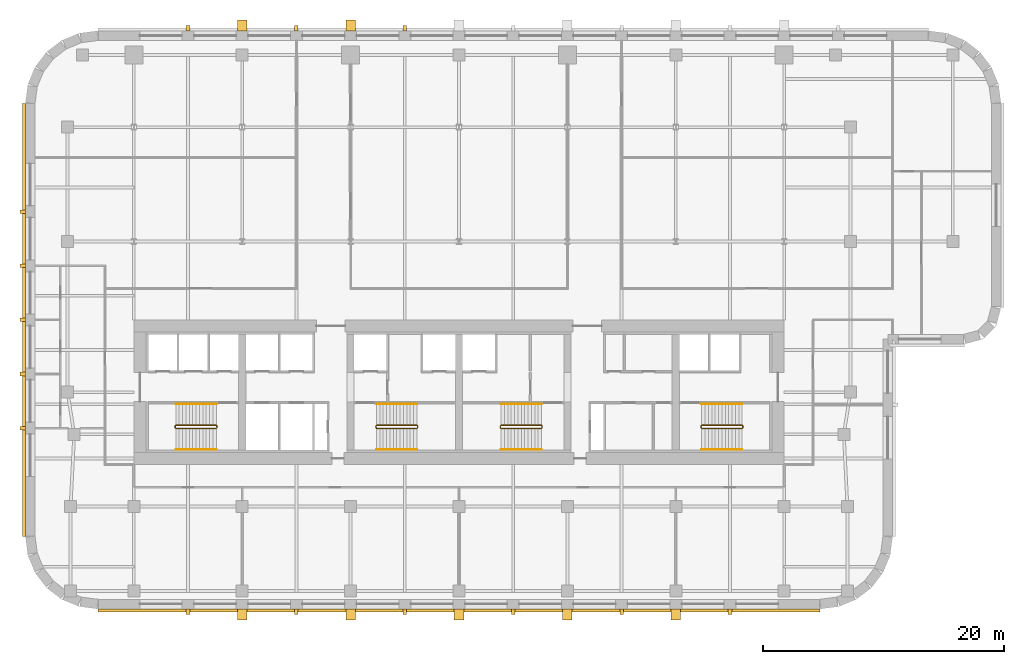
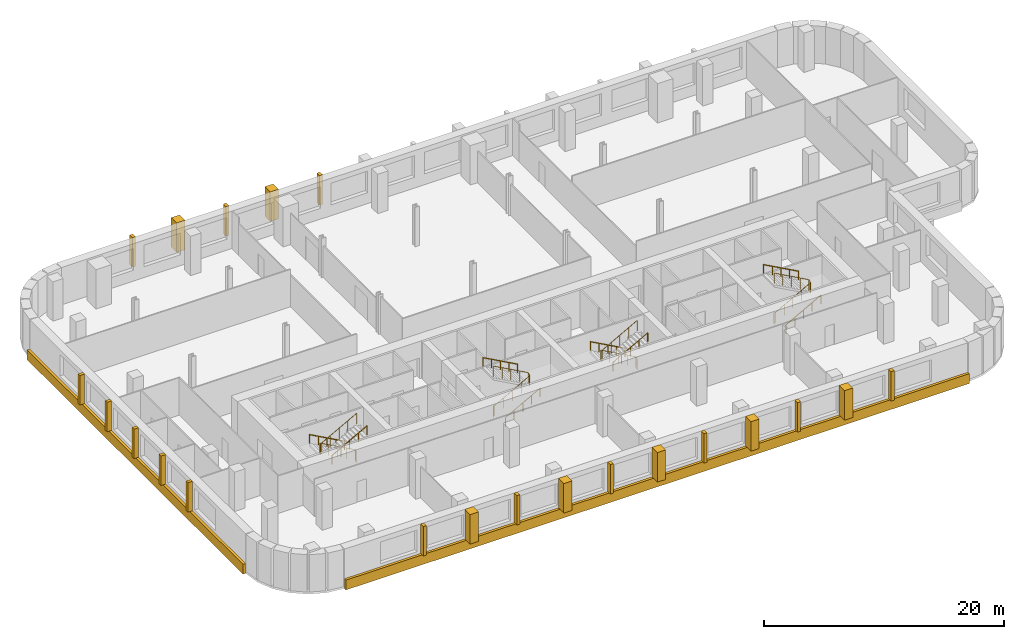
# One storey, part 8 of 9: 23 coverings, 12 railings.
"""IFC4 building model written with IfcOpenShell, lengths in metres."""

from ifc_helpers import new_model, si_unit, direction, frame, origin, origin_2d, place, context, subcontext, project, spatial, polyline, circle, outline, extrude, material, layer, layer_set, type_object, element, save


model = new_model("IFC4")

# Units and contexts
model_context = context("Model", 3, precision=1e-05, world=origin(), true_north=direction((0.0, 1.0)))
body_context = subcontext(model_context, "Body", "Model", "MODEL_VIEW")
ifc_project = project(units=[si_unit("LENGTHUNIT", "METRE"), si_unit("AREAUNIT", "SQUARE_METRE"), si_unit("VOLUMEUNIT", "CUBIC_METRE"), si_unit("PLANEANGLEUNIT", "RADIAN"), si_unit("MASSUNIT", "GRAM", prefix="KILO")], contexts=[model_context])

# Site, building, storey
site_placement = place(None, origin())
site = spatial("IfcSite", under=ifc_project, at=site_placement, CompositionType="ELEMENT")
building_placement = place(site_placement, origin())
building = spatial("IfcBuilding", under=site, at=building_placement, Name="Zellij Exchange Tower", CompositionType="ELEMENT")
storey_placement = place(building_placement, frame((0.0, 0.0, 116.5)))
storey = spatial("IfcBuildingStorey", under=building, at=storey_placement, Name="L25", CompositionType="ELEMENT", Elevation=116.5)

# Railings
ifc_material_1 = material(Name="Stainless steel", Category="steel")
railing_type_1 = type_object("IfcRailingType", Name="CORE-RG stair guard", PredefinedType="GUARDRAIL", material=ifc_material_1)
railing_1_placement = place(storey_placement, frame((-20.10009765625, -10.800048828125, 0.0)))
element("IfcRailing", 1, at=railing_1_placement, inside=storey, type_object=railing_type_1, Name="ST1 stair guard L25", PredefinedType="GUARDRAIL", context=body_context, shape_type="SweptSolid", body=[
    extrude(circle(Radius=0.02392578125, at=origin_2d()), frame((0.0, 0.0, 1.076171875), z_axis=(0.0, -1.0, 0.0), x_axis=(1.0, 0.0, 0.0)), (0.0, 0.0, 1.0), 0.14990234375),
    extrude(circle(Radius=0.02392578125, at=origin_2d()), frame((0.0, -0.14990234375, 1.076171875), z_axis=(-0.193691321961, 0.777613689637, 0.598164376644), x_axis=(-0.970351222016, -0.241699205484, 0.0)), (0.0, 0.0, 1.0), 0.257080078125),
    extrude(circle(Radius=0.02392578125, at=origin_2d()), frame((-0.0498046875, 0.050048828125, 1.22998046875), z_axis=(-0.876421534553, 0.0, 0.481544695509), x_axis=(0.0, -1.0, 0.0)), (0.0, 0.0, 1.0), 3.833984375),
    extrude(circle(Radius=0.02392578125, at=origin_2d()), frame((-3.409912109375, 0.050048828125, 3.076171875), z_axis=(-0.707106781187, -0.707106781187, 0.0), x_axis=(0.707106781187, -0.707106781187, 0.0)), (0.0, 0.0, 1.0), 0.07080078125),
    extrude(circle(Radius=0.02392578125, at=origin_2d()), frame((-3.4599609375, 0.0, 3.076171875), z_axis=(0.0, -1.0, 0.0), x_axis=(1.0, 0.0, 0.0)), (0.0, 0.0, 1.0), 0.14990234375),
    extrude(circle(Radius=0.02392578125, at=origin_2d()), frame((-3.4599609375, -0.14990234375, 3.076171875), z_axis=(0.295599637079, -0.295599637079, 0.908428152975), x_axis=(0.707106781187, 0.707106781187, 0.0)), (0.0, 0.0, 1.0), 0.16943359375),
    extrude(circle(Radius=0.02392578125, at=origin_2d()), frame((-3.409912109375, -0.199951171875, 3.22998046875), z_axis=(0.876421534553, 0.0, 0.481544695509), x_axis=(0.0, 1.0, 0.0)), (0.0, 0.0, 1.0), 3.833984375),
    extrude(circle(Radius=0.02099609375, at=origin_2d()), origin(), (0.0, 0.0, 1.0), 1.052001953125),
    extrude(circle(Radius=0.02099609375, at=origin_2d()), frame((0.0, -0.14990234375, 0.0)), (0.0, 0.0, 1.0), 1.052001953125),
    extrude(circle(Radius=0.02099609375, at=origin_2d()), frame((-0.0498046875, 0.050048828125, 0.15380859375)), (0.0, 0.0, 1.0), 1.052001953125),
    extrude(circle(Radius=0.02099609375, at=origin_2d()), frame((-0.889892578125, 0.050048828125, 0.615234375)), (0.0, 0.0, 1.0), 1.052001953125),
    extrude(circle(Radius=0.02099609375, at=origin_2d()), frame((-1.72998046875, 0.050048828125, 1.076904296875)), (0.0, 0.0, 1.0), 1.052001953125),
    extrude(circle(Radius=0.02099609375, at=origin_2d()), frame((-2.56982421875, 0.050048828125, 1.53857421875)), (0.0, 0.0, 1.0), 1.052001953125),
    extrude(circle(Radius=0.02099609375, at=origin_2d()), frame((-3.409912109375, 0.050048828125, 2.0)), (0.0, 0.0, 1.0), 1.052001953125),
    extrude(circle(Radius=0.02099609375, at=origin_2d()), frame((-3.4599609375, 0.0, 2.0)), (0.0, 0.0, 1.0), 1.052001953125),
    extrude(circle(Radius=0.02099609375, at=origin_2d()), frame((-3.4599609375, -0.14990234375, 2.0)), (0.0, 0.0, 1.0), 1.052001953125),
    extrude(circle(Radius=0.02099609375, at=origin_2d()), frame((-3.409912109375, -0.199951171875, 2.15380859375)), (0.0, 0.0, 1.0), 1.052001953125),
    extrude(circle(Radius=0.02099609375, at=origin_2d()), frame((-2.56982421875, -0.199951171875, 2.615234375)), (0.0, 0.0, 1.0), 1.052001953125),
    extrude(circle(Radius=0.02099609375, at=origin_2d()), frame((-1.72998046875, -0.199951171875, 3.076904296875)), (0.0, 0.0, 1.0), 1.052001953125),
    extrude(circle(Radius=0.02099609375, at=origin_2d()), frame((-0.889892578125, -0.199951171875, 3.53857421875)), (0.0, 0.0, 1.0), 1.052001953125),
    extrude(circle(Radius=0.02099609375, at=origin_2d()), frame((-0.0498046875, -0.199951171875, 4.0)), (0.0, 0.0, 1.0), 1.052001953125),
])
railing_2_placement = place(storey_placement, frame((-6.89990234375, -10.949951171875, 0.0)))
element("IfcRailing", 2, at=railing_2_placement, inside=storey, type_object=railing_type_1, Name="ST2 stair guard L25", PredefinedType="GUARDRAIL", context=body_context, shape_type="SweptSolid", body=[
    extrude(circle(Radius=0.02392578125, at=origin_2d()), frame((0.0, 0.0, 1.076171875), z_axis=(0.0, 1.0, 0.0), x_axis=(-1.0, 0.0, 0.0)), (0.0, 0.0, 1.0), 0.14990234375),
    extrude(circle(Radius=0.02392578125, at=origin_2d()), frame((0.0, 0.14990234375, 1.076171875), z_axis=(0.193691321961, -0.777613689637, 0.598164376644), x_axis=(0.970351222016, 0.241699205484, 0.0)), (0.0, 0.0, 1.0), 0.257080078125),
    extrude(circle(Radius=0.02392578125, at=origin_2d()), frame((0.0498046875, -0.050048828125, 1.22998046875), z_axis=(0.876421534553, 0.0, 0.481544695509), x_axis=(0.0, 1.0, 0.0)), (0.0, 0.0, 1.0), 3.833984375),
    extrude(circle(Radius=0.02392578125, at=origin_2d()), frame((3.409912109375, -0.050048828125, 3.076171875), z_axis=(0.707106781187, 0.707106781187, 0.0), x_axis=(-0.707106781187, 0.707106781187, 0.0)), (0.0, 0.0, 1.0), 0.07080078125),
    extrude(circle(Radius=0.02392578125, at=origin_2d()), frame((3.4599609375, 0.0, 3.076171875), z_axis=(0.0, 1.0, 0.0), x_axis=(-1.0, 0.0, 0.0)), (0.0, 0.0, 1.0), 0.14990234375),
    extrude(circle(Radius=0.02392578125, at=origin_2d()), frame((3.4599609375, 0.14990234375, 3.076171875), z_axis=(-0.295599637079, 0.295599637079, 0.908428152975), x_axis=(-0.707106781187, -0.707106781187, 0.0)), (0.0, 0.0, 1.0), 0.16943359375),
    extrude(circle(Radius=0.02392578125, at=origin_2d()), frame((3.409912109375, 0.199951171875, 3.22998046875), z_axis=(-0.876421534553, 0.0, 0.481544695509), x_axis=(0.0, -1.0, 0.0)), (0.0, 0.0, 1.0), 3.833984375),
    extrude(circle(Radius=0.02099609375, at=origin_2d()), origin(), (0.0, 0.0, 1.0), 1.052001953125),
    extrude(circle(Radius=0.02099609375, at=origin_2d()), frame((0.0, 0.14990234375, 0.0)), (0.0, 0.0, 1.0), 1.052001953125),
    extrude(circle(Radius=0.02099609375, at=origin_2d()), frame((0.0498046875, -0.050048828125, 0.15380859375)), (0.0, 0.0, 1.0), 1.052001953125),
    extrude(circle(Radius=0.02099609375, at=origin_2d()), frame((0.889892578125, -0.050048828125, 0.615234375)), (0.0, 0.0, 1.0), 1.052001953125),
    extrude(circle(Radius=0.02099609375, at=origin_2d()), frame((1.72998046875, -0.050048828125, 1.076904296875)), (0.0, 0.0, 1.0), 1.052001953125),
    extrude(circle(Radius=0.02099609375, at=origin_2d()), frame((2.56982421875, -0.050048828125, 1.53857421875)), (0.0, 0.0, 1.0), 1.052001953125),
    extrude(circle(Radius=0.02099609375, at=origin_2d()), frame((3.409912109375, -0.050048828125, 2.0)), (0.0, 0.0, 1.0), 1.052001953125),
    extrude(circle(Radius=0.02099609375, at=origin_2d()), frame((3.4599609375, 0.0, 2.0)), (0.0, 0.0, 1.0), 1.052001953125),
    extrude(circle(Radius=0.02099609375, at=origin_2d()), frame((3.4599609375, 0.14990234375, 2.0)), (0.0, 0.0, 1.0), 1.052001953125),
    extrude(circle(Radius=0.02099609375, at=origin_2d()), frame((3.409912109375, 0.199951171875, 2.15380859375)), (0.0, 0.0, 1.0), 1.052001953125),
    extrude(circle(Radius=0.02099609375, at=origin_2d()), frame((2.56982421875, 0.199951171875, 2.615234375)), (0.0, 0.0, 1.0), 1.052001953125),
    extrude(circle(Radius=0.02099609375, at=origin_2d()), frame((1.72998046875, 0.199951171875, 3.076904296875)), (0.0, 0.0, 1.0), 1.052001953125),
    extrude(circle(Radius=0.02099609375, at=origin_2d()), frame((0.889892578125, 0.199951171875, 3.53857421875)), (0.0, 0.0, 1.0), 1.052001953125),
    extrude(circle(Radius=0.02099609375, at=origin_2d()), frame((0.0498046875, 0.199951171875, 4.0)), (0.0, 0.0, 1.0), 1.052001953125),
])
railing_3_placement = place(storey_placement, frame((6.89990234375, -10.800048828125, 0.0)))
element("IfcRailing", 3, at=railing_3_placement, inside=storey, type_object=railing_type_1, Name="ST3 stair guard L25", PredefinedType="GUARDRAIL", context=body_context, shape_type="SweptSolid", body=[
    extrude(circle(Radius=0.02392578125, at=origin_2d()), frame((0.0, 0.0, 1.076171875), z_axis=(0.0, -1.0, 0.0), x_axis=(1.0, 0.0, 0.0)), (0.0, 0.0, 1.0), 0.14990234375),
    extrude(circle(Radius=0.02392578125, at=origin_2d()), frame((0.0, -0.14990234375, 1.076171875), z_axis=(-0.193691321961, 0.777613689637, 0.598164376644), x_axis=(-0.970351222016, -0.241699205484, 0.0)), (0.0, 0.0, 1.0), 0.257080078125),
    extrude(circle(Radius=0.02392578125, at=origin_2d()), frame((-0.0498046875, 0.050048828125, 1.22998046875), z_axis=(-0.876421534553, 0.0, 0.481544695509), x_axis=(0.0, -1.0, 0.0)), (0.0, 0.0, 1.0), 3.833984375),
    extrude(circle(Radius=0.02392578125, at=origin_2d()), frame((-3.409912109375, 0.050048828125, 3.076171875), z_axis=(-0.707106781187, -0.707106781187, 0.0), x_axis=(0.707106781187, -0.707106781187, 0.0)), (0.0, 0.0, 1.0), 0.07080078125),
    extrude(circle(Radius=0.02392578125, at=origin_2d()), frame((-3.4599609375, 0.0, 3.076171875), z_axis=(0.0, -1.0, 0.0), x_axis=(1.0, 0.0, 0.0)), (0.0, 0.0, 1.0), 0.14990234375),
    extrude(circle(Radius=0.02392578125, at=origin_2d()), frame((-3.4599609375, -0.14990234375, 3.076171875), z_axis=(0.295599637079, -0.295599637079, 0.908428152975), x_axis=(0.707106781187, 0.707106781187, 0.0)), (0.0, 0.0, 1.0), 0.16943359375),
    extrude(circle(Radius=0.02392578125, at=origin_2d()), frame((-3.409912109375, -0.199951171875, 3.22998046875), z_axis=(0.876421534553, 0.0, 0.481544695509), x_axis=(0.0, 1.0, 0.0)), (0.0, 0.0, 1.0), 3.833984375),
    extrude(circle(Radius=0.02099609375, at=origin_2d()), origin(), (0.0, 0.0, 1.0), 1.052001953125),
    extrude(circle(Radius=0.02099609375, at=origin_2d()), frame((0.0, -0.14990234375, 0.0)), (0.0, 0.0, 1.0), 1.052001953125),
    extrude(circle(Radius=0.02099609375, at=origin_2d()), frame((-0.0498046875, 0.050048828125, 0.15380859375)), (0.0, 0.0, 1.0), 1.052001953125),
    extrude(circle(Radius=0.02099609375, at=origin_2d()), frame((-0.889892578125, 0.050048828125, 0.615234375)), (0.0, 0.0, 1.0), 1.052001953125),
    extrude(circle(Radius=0.02099609375, at=origin_2d()), frame((-1.72998046875, 0.050048828125, 1.076904296875)), (0.0, 0.0, 1.0), 1.052001953125),
    extrude(circle(Radius=0.02099609375, at=origin_2d()), frame((-2.56982421875, 0.050048828125, 1.53857421875)), (0.0, 0.0, 1.0), 1.052001953125),
    extrude(circle(Radius=0.02099609375, at=origin_2d()), frame((-3.409912109375, 0.050048828125, 2.0)), (0.0, 0.0, 1.0), 1.052001953125),
    extrude(circle(Radius=0.02099609375, at=origin_2d()), frame((-3.4599609375, 0.0, 2.0)), (0.0, 0.0, 1.0), 1.052001953125),
    extrude(circle(Radius=0.02099609375, at=origin_2d()), frame((-3.4599609375, -0.14990234375, 2.0)), (0.0, 0.0, 1.0), 1.052001953125),
    extrude(circle(Radius=0.02099609375, at=origin_2d()), frame((-3.409912109375, -0.199951171875, 2.15380859375)), (0.0, 0.0, 1.0), 1.052001953125),
    extrude(circle(Radius=0.02099609375, at=origin_2d()), frame((-2.56982421875, -0.199951171875, 2.615234375)), (0.0, 0.0, 1.0), 1.052001953125),
    extrude(circle(Radius=0.02099609375, at=origin_2d()), frame((-1.72998046875, -0.199951171875, 3.076904296875)), (0.0, 0.0, 1.0), 1.052001953125),
    extrude(circle(Radius=0.02099609375, at=origin_2d()), frame((-0.889892578125, -0.199951171875, 3.53857421875)), (0.0, 0.0, 1.0), 1.052001953125),
    extrude(circle(Radius=0.02099609375, at=origin_2d()), frame((-0.0498046875, -0.199951171875, 4.0)), (0.0, 0.0, 1.0), 1.052001953125),
])
railing_4_placement = place(storey_placement, frame((20.10009765625, -10.949951171875, 0.0)))
element("IfcRailing", 4, at=railing_4_placement, inside=storey, type_object=railing_type_1, Name="ST4 stair guard L25", PredefinedType="GUARDRAIL", context=body_context, shape_type="SweptSolid", body=[
    extrude(circle(Radius=0.02392578125, at=origin_2d()), frame((0.0, 0.0, 1.076171875), z_axis=(0.0, 1.0, 0.0), x_axis=(-1.0, 0.0, 0.0)), (0.0, 0.0, 1.0), 0.14990234375),
    extrude(circle(Radius=0.02392578125, at=origin_2d()), frame((0.0, 0.14990234375, 1.076171875), z_axis=(0.193691321961, -0.777613689637, 0.598164376644), x_axis=(0.970351222016, 0.241699205484, 0.0)), (0.0, 0.0, 1.0), 0.257080078125),
    extrude(circle(Radius=0.02392578125, at=origin_2d()), frame((0.0498046875, -0.050048828125, 1.22998046875), z_axis=(0.876421534553, 0.0, 0.481544695509), x_axis=(0.0, 1.0, 0.0)), (0.0, 0.0, 1.0), 3.833984375),
    extrude(circle(Radius=0.02392578125, at=origin_2d()), frame((3.409912109375, -0.050048828125, 3.076171875), z_axis=(0.707106781187, 0.707106781187, 0.0), x_axis=(-0.707106781187, 0.707106781187, 0.0)), (0.0, 0.0, 1.0), 0.07080078125),
    extrude(circle(Radius=0.02392578125, at=origin_2d()), frame((3.4599609375, 0.0, 3.076171875), z_axis=(0.0, 1.0, 0.0), x_axis=(-1.0, 0.0, 0.0)), (0.0, 0.0, 1.0), 0.14990234375),
    extrude(circle(Radius=0.02392578125, at=origin_2d()), frame((3.4599609375, 0.14990234375, 3.076171875), z_axis=(-0.295599637079, 0.295599637079, 0.908428152975), x_axis=(-0.707106781187, -0.707106781187, 0.0)), (0.0, 0.0, 1.0), 0.16943359375),
    extrude(circle(Radius=0.02392578125, at=origin_2d()), frame((3.409912109375, 0.199951171875, 3.22998046875), z_axis=(-0.876421534553, 0.0, 0.481544695509), x_axis=(0.0, -1.0, 0.0)), (0.0, 0.0, 1.0), 3.833984375),
    extrude(circle(Radius=0.02099609375, at=origin_2d()), origin(), (0.0, 0.0, 1.0), 1.052001953125),
    extrude(circle(Radius=0.02099609375, at=origin_2d()), frame((0.0, 0.14990234375, 0.0)), (0.0, 0.0, 1.0), 1.052001953125),
    extrude(circle(Radius=0.02099609375, at=origin_2d()), frame((0.0498046875, -0.050048828125, 0.15380859375)), (0.0, 0.0, 1.0), 1.052001953125),
    extrude(circle(Radius=0.02099609375, at=origin_2d()), frame((0.889892578125, -0.050048828125, 0.615234375)), (0.0, 0.0, 1.0), 1.052001953125),
    extrude(circle(Radius=0.02099609375, at=origin_2d()), frame((1.72998046875, -0.050048828125, 1.076904296875)), (0.0, 0.0, 1.0), 1.052001953125),
    extrude(circle(Radius=0.02099609375, at=origin_2d()), frame((2.56982421875, -0.050048828125, 1.53857421875)), (0.0, 0.0, 1.0), 1.052001953125),
    extrude(circle(Radius=0.02099609375, at=origin_2d()), frame((3.409912109375, -0.050048828125, 2.0)), (0.0, 0.0, 1.0), 1.052001953125),
    extrude(circle(Radius=0.02099609375, at=origin_2d()), frame((3.4599609375, 0.0, 2.0)), (0.0, 0.0, 1.0), 1.052001953125),
    extrude(circle(Radius=0.02099609375, at=origin_2d()), frame((3.4599609375, 0.14990234375, 2.0)), (0.0, 0.0, 1.0), 1.052001953125),
    extrude(circle(Radius=0.02099609375, at=origin_2d()), frame((3.409912109375, 0.199951171875, 2.15380859375)), (0.0, 0.0, 1.0), 1.052001953125),
    extrude(circle(Radius=0.02099609375, at=origin_2d()), frame((2.56982421875, 0.199951171875, 2.615234375)), (0.0, 0.0, 1.0), 1.052001953125),
    extrude(circle(Radius=0.02099609375, at=origin_2d()), frame((1.72998046875, 0.199951171875, 3.076904296875)), (0.0, 0.0, 1.0), 1.052001953125),
    extrude(circle(Radius=0.02099609375, at=origin_2d()), frame((0.889892578125, 0.199951171875, 3.53857421875)), (0.0, 0.0, 1.0), 1.052001953125),
    extrude(circle(Radius=0.02099609375, at=origin_2d()), frame((0.0498046875, 0.199951171875, 4.0)), (0.0, 0.0, 1.0), 1.052001953125),
])
railing_type_2 = type_object("IfcRailingType", Name="CORE-RH stair handrail", PredefinedType="HANDRAIL", material=ifc_material_1)
railing_5_placement = place(storey_placement, frame((-20.14990234375, -9.0, 0.15380859375)))
element("IfcRailing", 5, at=railing_5_placement, inside=storey, type_object=railing_type_2, Name="ST1 stair handrail L25", PredefinedType="HANDRAIL", context=body_context, shape_type="SweptSolid", body=[
    extrude(circle(Radius=0.02392578125, at=origin_2d()), frame((0.0, 0.0, 0.8759765625), z_axis=(-0.876421534553, 0.0, 0.481544695509), x_axis=(0.0, -1.0, 0.0)), (0.0, 0.0, 1.0), 3.833984375),
    extrude(circle(Radius=0.02099609375, at=origin_2d()), origin(), (0.0, 0.0, 1.0), 0.851806640625),
    extrude(circle(Radius=0.02099609375, at=origin_2d()), frame((-0.840087890625, 0.0, 0.46142578125)), (0.0, 0.0, 1.0), 0.851806640625),
    extrude(circle(Radius=0.02099609375, at=origin_2d()), frame((-1.68017578125, 0.0, 0.923095703125)), (0.0, 0.0, 1.0), 0.851806640625),
    extrude(circle(Radius=0.02099609375, at=origin_2d()), frame((-2.52001953125, 0.0, 1.384765625)), (0.0, 0.0, 1.0), 0.851806640625),
    extrude(circle(Radius=0.02099609375, at=origin_2d()), frame((-3.360107421875, 0.0, 1.84619140625)), (0.0, 0.0, 1.0), 0.851806640625),
])
for number, where, name in (
    (6, (-23.510009765625, -12.75, 2.15380859375), "ST1 stair handrail L25"),
    (7, (-6.85009765625, -12.75, 0.15380859375), "ST2 stair handrail L25"),
):
    element("IfcRailing", number, at=place(storey_placement, frame(where)), inside=storey, type_object=railing_type_2, Name=name, PredefinedType="HANDRAIL", context=body_context, shape_type="SweptSolid", body=[
        extrude(circle(Radius=0.02392578125, at=origin_2d()), frame((0.0, 0.0, 0.8759765625), z_axis=(0.876421534553, 0.0, 0.481544695509), x_axis=(0.0, 1.0, 0.0)), (0.0, 0.0, 1.0), 3.833984375),
        extrude(circle(Radius=0.02099609375, at=origin_2d()), origin(), (0.0, 0.0, 1.0), 0.851806640625),
        extrude(circle(Radius=0.02099609375, at=origin_2d()), frame((0.840087890625, 0.0, 0.46142578125)), (0.0, 0.0, 1.0), 0.851806640625),
        extrude(circle(Radius=0.02099609375, at=origin_2d()), frame((1.68017578125, 0.0, 0.923095703125)), (0.0, 0.0, 1.0), 0.851806640625),
        extrude(circle(Radius=0.02099609375, at=origin_2d()), frame((2.52001953125, 0.0, 1.384765625)), (0.0, 0.0, 1.0), 0.851806640625),
        extrude(circle(Radius=0.02099609375, at=origin_2d()), frame((3.360107421875, 0.0, 1.84619140625)), (0.0, 0.0, 1.0), 0.851806640625),
    ])
for number, where, name in (
    (8, (-3.489990234375, -9.0, 2.15380859375), "ST2 stair handrail L25"),
    (9, (6.85009765625, -9.0, 0.15380859375), "ST3 stair handrail L25"),
):
    element("IfcRailing", number, at=place(storey_placement, frame(where)), inside=storey, type_object=railing_type_2, Name=name, PredefinedType="HANDRAIL", context=body_context, shape_type="SweptSolid", body=[
        extrude(circle(Radius=0.02392578125, at=origin_2d()), frame((0.0, 0.0, 0.8759765625), z_axis=(-0.876421534553, 0.0, 0.481544695509), x_axis=(0.0, -1.0, 0.0)), (0.0, 0.0, 1.0), 3.833984375),
        extrude(circle(Radius=0.02099609375, at=origin_2d()), origin(), (0.0, 0.0, 1.0), 0.851806640625),
        extrude(circle(Radius=0.02099609375, at=origin_2d()), frame((-0.840087890625, 0.0, 0.46142578125)), (0.0, 0.0, 1.0), 0.851806640625),
        extrude(circle(Radius=0.02099609375, at=origin_2d()), frame((-1.68017578125, 0.0, 0.923095703125)), (0.0, 0.0, 1.0), 0.851806640625),
        extrude(circle(Radius=0.02099609375, at=origin_2d()), frame((-2.52001953125, 0.0, 1.384765625)), (0.0, 0.0, 1.0), 0.851806640625),
        extrude(circle(Radius=0.02099609375, at=origin_2d()), frame((-3.360107421875, 0.0, 1.84619140625)), (0.0, 0.0, 1.0), 0.851806640625),
    ])
for number, where, name in (
    (10, (3.489990234375, -12.75, 2.15380859375), "ST3 stair handrail L25"),
    (11, (20.14990234375, -12.75, 0.15380859375), "ST4 stair handrail L25"),
):
    element("IfcRailing", number, at=place(storey_placement, frame(where)), inside=storey, type_object=railing_type_2, Name=name, PredefinedType="HANDRAIL", context=body_context, shape_type="SweptSolid", body=[
        extrude(circle(Radius=0.02392578125, at=origin_2d()), frame((0.0, 0.0, 0.8759765625), z_axis=(0.876421534553, 0.0, 0.481544695509), x_axis=(0.0, 1.0, 0.0)), (0.0, 0.0, 1.0), 3.833984375),
        extrude(circle(Radius=0.02099609375, at=origin_2d()), origin(), (0.0, 0.0, 1.0), 0.851806640625),
        extrude(circle(Radius=0.02099609375, at=origin_2d()), frame((0.840087890625, 0.0, 0.46142578125)), (0.0, 0.0, 1.0), 0.851806640625),
        extrude(circle(Radius=0.02099609375, at=origin_2d()), frame((1.68017578125, 0.0, 0.923095703125)), (0.0, 0.0, 1.0), 0.851806640625),
        extrude(circle(Radius=0.02099609375, at=origin_2d()), frame((2.52001953125, 0.0, 1.384765625)), (0.0, 0.0, 1.0), 0.851806640625),
        extrude(circle(Radius=0.02099609375, at=origin_2d()), frame((3.360107421875, 0.0, 1.84619140625)), (0.0, 0.0, 1.0), 0.851806640625),
    ])
railing_6_placement = place(storey_placement, frame((23.510009765625, -9.0, 2.15380859375)))
element("IfcRailing", 12, at=railing_6_placement, inside=storey, type_object=railing_type_2, Name="ST4 stair handrail L25", PredefinedType="HANDRAIL", context=body_context, shape_type="SweptSolid", body=[
    extrude(circle(Radius=0.02392578125, at=origin_2d()), frame((0.0, 0.0, 0.8759765625), z_axis=(-0.876421534553, 0.0, 0.481544695509), x_axis=(0.0, -1.0, 0.0)), (0.0, 0.0, 1.0), 3.833984375),
    extrude(circle(Radius=0.02099609375, at=origin_2d()), origin(), (0.0, 0.0, 1.0), 0.851806640625),
    extrude(circle(Radius=0.02099609375, at=origin_2d()), frame((-0.840087890625, 0.0, 0.46142578125)), (0.0, 0.0, 1.0), 0.851806640625),
    extrude(circle(Radius=0.02099609375, at=origin_2d()), frame((-1.68017578125, 0.0, 0.923095703125)), (0.0, 0.0, 1.0), 0.851806640625),
    extrude(circle(Radius=0.02099609375, at=origin_2d()), frame((-2.52001953125, 0.0, 1.384765625)), (0.0, 0.0, 1.0), 0.851806640625),
    extrude(circle(Radius=0.02099609375, at=origin_2d()), frame((-3.360107421875, 0.0, 1.84619140625)), (0.0, 0.0, 1.0), 0.851806640625),
])

# Coverings
ifc_material_2 = material(Name="Limestone cladding", Category="masonry")
covering_type_1 = type_object("IfcCoveringType", Name="ENV-CV5 Stone pier 800x900", PredefinedType="CLADDING", material=ifc_material_2)
covering_1_placement = place(storey_placement, frame((0.0, 0.0, 0.800048828125)))
element("IfcCovering", 13, at=covering_1_placement, inside=storey, type_object=covering_type_1, Name="Stone pier", PredefinedType="CLADDING", context=body_context, shape_type="SweptSolid", body=[
    extrude(outline(polyline([(-18.39990234375, -26.0), (-17.60009765625, -26.0), (-17.60009765625, -26.89990234375), (-18.39990234375, -26.89990234375), (-18.39990234375, -26.0)])), origin(), (0.0, 0.0, 1.0), 3.0),
])
covering_2_placement = place(storey_placement, frame((0.0, 0.0, 0.800048828125)))
element("IfcCovering", 14, at=covering_2_placement, inside=storey, type_object=covering_type_1, Name="Stone pier", PredefinedType="CLADDING", context=body_context, shape_type="SweptSolid", body=[
    extrude(outline(polyline([(-9.39990234375, -26.0), (-8.60009765625, -26.0), (-8.60009765625, -26.89990234375), (-9.39990234375, -26.89990234375), (-9.39990234375, -26.0)])), origin(), (0.0, 0.0, 1.0), 3.0),
])
covering_3_placement = place(storey_placement, frame((0.0, 0.0, 0.800048828125)))
element("IfcCovering", 15, at=covering_3_placement, inside=storey, type_object=covering_type_1, Name="Stone pier", PredefinedType="CLADDING", context=body_context, shape_type="SweptSolid", body=[
    extrude(outline(polyline([(-0.39990234375, -26.0), (0.39990234375, -26.0), (0.39990234375, -26.89990234375), (-0.39990234375, -26.89990234375), (-0.39990234375, -26.0)])), origin(), (0.0, 0.0, 1.0), 3.0),
])
covering_4_placement = place(storey_placement, frame((0.0, 0.0, 0.800048828125)))
element("IfcCovering", 16, at=covering_4_placement, inside=storey, type_object=covering_type_1, Name="Stone pier", PredefinedType="CLADDING", context=body_context, shape_type="SweptSolid", body=[
    extrude(outline(polyline([(8.60009765625, -26.0), (9.39990234375, -26.0), (9.39990234375, -26.89990234375), (8.60009765625, -26.89990234375), (8.60009765625, -26.0)])), origin(), (0.0, 0.0, 1.0), 3.0),
])
covering_5_placement = place(storey_placement, frame((0.0, 0.0, 0.800048828125)))
element("IfcCovering", 17, at=covering_5_placement, inside=storey, type_object=covering_type_1, Name="Stone pier", PredefinedType="CLADDING", context=body_context, shape_type="SweptSolid", body=[
    extrude(outline(polyline([(17.60009765625, -26.0), (18.39990234375, -26.0), (18.39990234375, -26.89990234375), (17.60009765625, -26.89990234375), (17.60009765625, -26.0)])), origin(), (0.0, 0.0, 1.0), 3.0),
])
covering_6_placement = place(storey_placement, frame((0.0, 0.0, 0.800048828125)))
element("IfcCovering", 18, at=covering_6_placement, inside=storey, type_object=covering_type_1, Name="Stone pier", PredefinedType="CLADDING", context=body_context, shape_type="SweptSolid", body=[
    extrude(outline(polyline([(-8.60009765625, 22.0), (-9.39990234375, 22.0), (-9.39990234375, 22.89990234375), (-8.60009765625, 22.89990234375), (-8.60009765625, 22.0)])), origin(), (0.0, 0.0, 1.0), 3.0),
])
covering_7_placement = place(storey_placement, frame((0.0, 0.0, 0.800048828125)))
element("IfcCovering", 19, at=covering_7_placement, inside=storey, type_object=covering_type_1, Name="Stone pier", PredefinedType="CLADDING", context=body_context, shape_type="SweptSolid", body=[
    extrude(outline(polyline([(-17.60009765625, 22.0), (-18.39990234375, 22.0), (-18.39990234375, 22.89990234375), (-17.60009765625, 22.89990234375), (-17.60009765625, 22.0)])), origin(), (0.0, 0.0, 1.0), 3.0),
])
covering_type_2 = type_object("IfcCoveringType", Name="ENV-CV7 Stone pier 300x450", PredefinedType="CLADDING", material=ifc_material_2)
covering_8_placement = place(storey_placement, frame((0.0, 0.0, 0.800048828125)))
element("IfcCovering", 20, at=covering_8_placement, inside=storey, type_object=covering_type_2, Name="Stone pier", PredefinedType="CLADDING", context=body_context, shape_type="SweptSolid", body=[
    extrude(outline(polyline([(-22.64990234375, -26.0), (-22.35009765625, -26.0), (-22.35009765625, -26.449951171875), (-22.64990234375, -26.449951171875), (-22.64990234375, -26.0)])), origin(), (0.0, 0.0, 1.0), 3.0),
])
covering_9_placement = place(storey_placement, frame((0.0, 0.0, 0.800048828125)))
element("IfcCovering", 21, at=covering_9_placement, inside=storey, type_object=covering_type_2, Name="Stone pier", PredefinedType="CLADDING", context=body_context, shape_type="SweptSolid", body=[
    extrude(outline(polyline([(-13.64990234375, -26.0), (-13.35009765625, -26.0), (-13.35009765625, -26.449951171875), (-13.64990234375, -26.449951171875), (-13.64990234375, -26.0)])), origin(), (0.0, 0.0, 1.0), 3.0),
])
covering_10_placement = place(storey_placement, frame((0.0, 0.0, 0.800048828125)))
element("IfcCovering", 22, at=covering_10_placement, inside=storey, type_object=covering_type_2, Name="Stone pier", PredefinedType="CLADDING", context=body_context, shape_type="SweptSolid", body=[
    extrude(outline(polyline([(-4.64990234375, -26.0), (-4.35009765625, -26.0), (-4.35009765625, -26.449951171875), (-4.64990234375, -26.449951171875), (-4.64990234375, -26.0)])), origin(), (0.0, 0.0, 1.0), 3.0),
])
covering_11_placement = place(storey_placement, frame((0.0, 0.0, 0.800048828125)))
element("IfcCovering", 23, at=covering_11_placement, inside=storey, type_object=covering_type_2, Name="Stone pier", PredefinedType="CLADDING", context=body_context, shape_type="SweptSolid", body=[
    extrude(outline(polyline([(4.35009765625, -26.0), (4.64990234375, -26.0), (4.64990234375, -26.449951171875), (4.35009765625, -26.449951171875), (4.35009765625, -26.0)])), origin(), (0.0, 0.0, 1.0), 3.0),
])
covering_12_placement = place(storey_placement, frame((0.0, 0.0, 0.800048828125)))
element("IfcCovering", 24, at=covering_12_placement, inside=storey, type_object=covering_type_2, Name="Stone pier", PredefinedType="CLADDING", context=body_context, shape_type="SweptSolid", body=[
    extrude(outline(polyline([(13.35009765625, -26.0), (13.64990234375, -26.0), (13.64990234375, -26.449951171875), (13.35009765625, -26.449951171875), (13.35009765625, -26.0)])), origin(), (0.0, 0.0, 1.0), 3.0),
])
covering_13_placement = place(storey_placement, frame((0.0, 0.0, 0.800048828125)))
element("IfcCovering", 25, at=covering_13_placement, inside=storey, type_object=covering_type_2, Name="Stone pier", PredefinedType="CLADDING", context=body_context, shape_type="SweptSolid", body=[
    extrude(outline(polyline([(22.35009765625, -26.0), (22.64990234375, -26.0), (22.64990234375, -26.449951171875), (22.35009765625, -26.449951171875), (22.35009765625, -26.0)])), origin(), (0.0, 0.0, 1.0), 3.0),
])
covering_14_placement = place(storey_placement, frame((0.0, 0.0, 0.800048828125)))
element("IfcCovering", 26, at=covering_14_placement, inside=storey, type_object=covering_type_2, Name="Stone pier", PredefinedType="CLADDING", context=body_context, shape_type="SweptSolid", body=[
    extrude(outline(polyline([(-4.35009765625, 22.0), (-4.64990234375, 22.0), (-4.64990234375, 22.449951171875), (-4.35009765625, 22.449951171875), (-4.35009765625, 22.0)])), origin(), (0.0, 0.0, 1.0), 3.0),
])
covering_15_placement = place(storey_placement, frame((0.0, 0.0, 0.800048828125)))
element("IfcCovering", 27, at=covering_15_placement, inside=storey, type_object=covering_type_2, Name="Stone pier", PredefinedType="CLADDING", context=body_context, shape_type="SweptSolid", body=[
    extrude(outline(polyline([(-13.35009765625, 22.0), (-13.64990234375, 22.0), (-13.64990234375, 22.449951171875), (-13.35009765625, 22.449951171875), (-13.35009765625, 22.0)])), origin(), (0.0, 0.0, 1.0), 3.0),
])
covering_16_placement = place(storey_placement, frame((0.0, 0.0, 0.800048828125)))
element("IfcCovering", 28, at=covering_16_placement, inside=storey, type_object=covering_type_2, Name="Stone pier", PredefinedType="CLADDING", context=body_context, shape_type="SweptSolid", body=[
    extrude(outline(polyline([(-22.35009765625, 22.0), (-22.64990234375, 22.0), (-22.64990234375, 22.449951171875), (-22.35009765625, 22.449951171875), (-22.35009765625, 22.0)])), origin(), (0.0, 0.0, 1.0), 3.0),
])
covering_17_placement = place(storey_placement, frame((0.0, 0.0, 0.800048828125)))
element("IfcCovering", 29, at=covering_17_placement, inside=storey, type_object=covering_type_2, Name="Stone pier", PredefinedType="CLADDING", context=body_context, shape_type="SweptSolid", body=[
    extrude(outline(polyline([(-36.0, 7.136962890625), (-36.0, 6.8369140625), (-36.449951171875, 6.8369140625), (-36.449951171875, 7.136962890625), (-36.0, 7.136962890625)])), origin(), (0.0, 0.0, 1.0), 3.0),
])
covering_18_placement = place(storey_placement, frame((0.0, 0.0, 0.800048828125)))
element("IfcCovering", 30, at=covering_18_placement, inside=storey, type_object=covering_type_2, Name="Stone pier", PredefinedType="CLADDING", context=body_context, shape_type="SweptSolid", body=[
    extrude(outline(polyline([(-36.0, 2.6435546875), (-36.0, 2.343505859375), (-36.449951171875, 2.343505859375), (-36.449951171875, 2.6435546875), (-36.0, 2.6435546875)])), origin(), (0.0, 0.0, 1.0), 3.0),
])
covering_19_placement = place(storey_placement, frame((0.0, 0.0, 0.800048828125)))
element("IfcCovering", 31, at=covering_19_placement, inside=storey, type_object=covering_type_2, Name="Stone pier", PredefinedType="CLADDING", context=body_context, shape_type="SweptSolid", body=[
    extrude(outline(polyline([(-36.0, -1.85009765625), (-36.0, -2.14990234375), (-36.449951171875, -2.14990234375), (-36.449951171875, -1.85009765625), (-36.0, -1.85009765625)])), origin(), (0.0, 0.0, 1.0), 3.0),
])
covering_20_placement = place(storey_placement, frame((0.0, 0.0, 0.800048828125)))
element("IfcCovering", 32, at=covering_20_placement, inside=storey, type_object=covering_type_2, Name="Stone pier", PredefinedType="CLADDING", context=body_context, shape_type="SweptSolid", body=[
    extrude(outline(polyline([(-36.0, -6.343505859375), (-36.0, -6.643310546875), (-36.449951171875, -6.643310546875), (-36.449951171875, -6.343505859375), (-36.0, -6.343505859375)])), origin(), (0.0, 0.0, 1.0), 3.0),
])
covering_21_placement = place(storey_placement, frame((0.0, 0.0, 0.800048828125)))
element("IfcCovering", 33, at=covering_21_placement, inside=storey, type_object=covering_type_2, Name="Stone pier", PredefinedType="CLADDING", context=body_context, shape_type="SweptSolid", body=[
    extrude(outline(polyline([(-36.0, -10.8369140625), (-36.0, -11.136962890625), (-36.449951171875, -11.136962890625), (-36.449951171875, -10.8369140625), (-36.0, -10.8369140625)])), origin(), (0.0, 0.0, 1.0), 3.0),
])
ifc_layer = layer(ifc_material_2, 0.25)
ifc_layer_set = layer_set([ifc_layer], Name="Limestone cladding")
covering_type_3 = type_object("IfcCoveringType", Name="ENV-CV8 Stone spandrel band 250", PredefinedType="CLADDING", material=ifc_layer_set)
covering_22_placement = place(storey_placement, frame((0.0, 0.0, -0.199951171875)))
element("IfcCovering", 34, at=covering_22_placement, inside=storey, type_object=covering_type_3, Name="Stone spandrel band", PredefinedType="CLADDING", context=body_context, shape_type="SweptSolid", body=[
    extrude(outline(polyline([(-29.973876953125, -26.0), (29.973876953125, -26.0), (29.990234375, -26.25), (-29.990234375, -26.25), (-29.973876953125, -26.0)])), origin(), (0.0, 0.0, 1.0), 1.0),
])
covering_23_placement = place(storey_placement, frame((0.0, 0.0, -0.199951171875)))
element("IfcCovering", 35, at=covering_23_placement, inside=storey, type_object=covering_type_3, Name="Stone spandrel band", PredefinedType="CLADDING", context=body_context, shape_type="SweptSolid", body=[
    extrude(outline(polyline([(-36.0, 15.973876953125), (-36.0, -19.973876953125), (-36.25, -19.990234375), (-36.25, 15.990234375), (-36.0, 15.973876953125)])), origin(), (0.0, 0.0, 1.0), 1.0),
])

save(model, "model.ifc")
